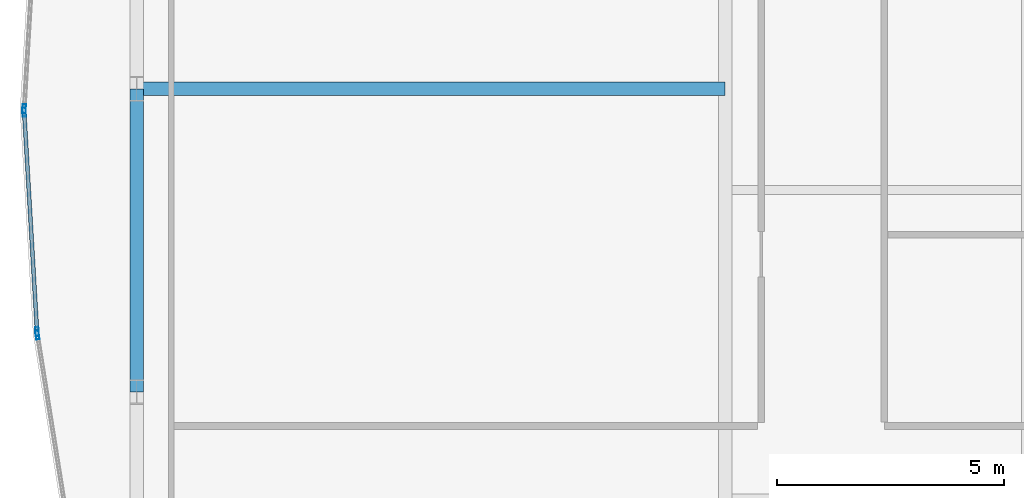
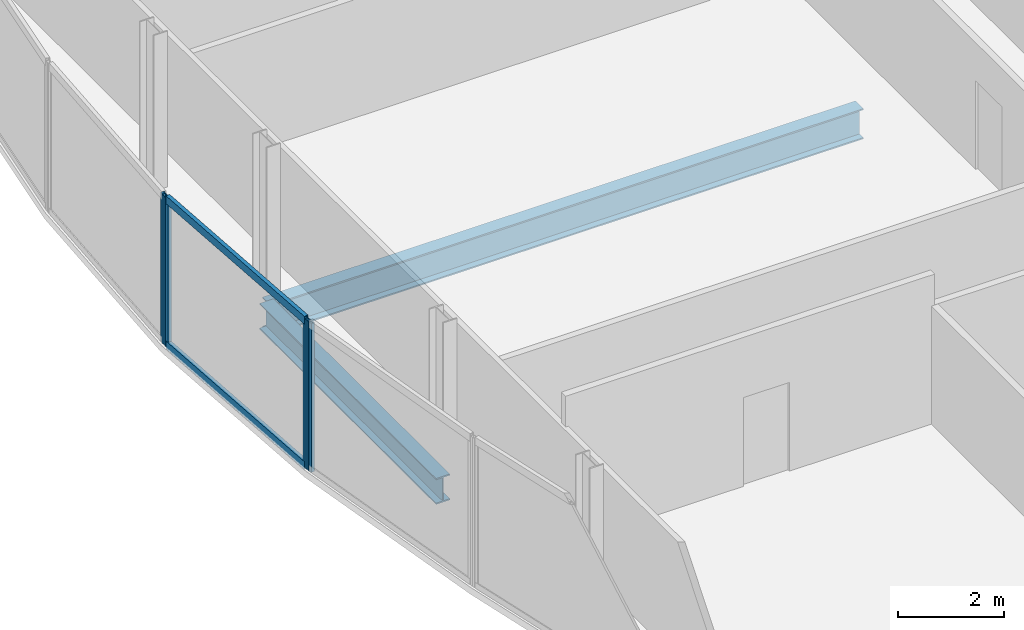
# One storey, part 10 of 29: 6 members, 2 beams, 3 elements without a shape of their own.
"""IFC4 building model written with IfcOpenShell, lengths in metres."""

from ifc_helpers import new_model, si_unit, direction, frame, origin, origin_2d, place, context, subcontext, project, spatial, hollow_rectangle, i_section, extrude, material, material_profile, profile_set, type_object, element, aggregate, save


model = new_model("IFC4")

# Units and contexts
model_context = context("Model", 3, precision=1e-05, world=origin(), true_north=direction((0.0, 1.0)))
body_context = subcontext(model_context, "Body", "Model", "MODEL_VIEW")
ifc_project = project(units=[si_unit("LENGTHUNIT", "METRE"), si_unit("AREAUNIT", "SQUARE_METRE"), si_unit("VOLUMEUNIT", "CUBIC_METRE"), si_unit("PLANEANGLEUNIT", "RADIAN"), si_unit("MASSUNIT", "GRAM", prefix="KILO")], contexts=[model_context])

# Site, building, storey
site_placement = place(None, origin())
site = spatial("IfcSite", under=ifc_project, at=site_placement, CompositionType="ELEMENT")
building_placement = place(site_placement, origin())
building = spatial("IfcBuilding", under=site, at=building_placement, Name="Khoronbel Lancet Exchange", CompositionType="ELEMENT")
storey_placement = place(building_placement, frame((0.0, 0.0, 161.39990234375)))
storey = spatial("IfcBuildingStorey", under=building, at=storey_placement, Name="L40", CompositionType="ELEMENT", Elevation=161.39990234375)

# Beams
ifc_material_1 = material(Name="Steel S355", Category="steel")
ifc_material_profile_1 = material_profile(ifc_material_1, i_section(OverallWidth=0.300048828125, OverallDepth=0.699951171875, WebThickness=0.01708984375, FlangeThickness=0.031982421875, at=origin_2d()), Name="HEB 700")
ifc_profile_set_1 = profile_set([ifc_material_profile_1], Name="Steel S355")
beam_type_1 = type_object("IfcBeamType", Name="BM-BG3", PredefinedType="BEAM", material=ifc_profile_set_1)
beam_1_placement = place(storey_placement, frame((5.27001953125, 31.425048828125, -0.510009765625), z_axis=(1.0, 0.0, 0.0), x_axis=(0.0, 1.0, 0.0)))
element("IfcBeam", 1, at=beam_1_placement, inside=storey, type_object=beam_type_1, Name="Level L40 west lens tie girder LG2W", PredefinedType="BEAM", context=body_context, shape_type="SweptSolid", body=[
    extrude(i_section(OverallWidth=0.300048828125, OverallDepth=0.699951171875, WebThickness=0.01708984375, FlangeThickness=0.031982421875, at=origin_2d()), origin(), (0.0, 0.0, 1.0), 12.955078125),
])
ifc_material_profile_2 = material_profile(ifc_material_1, i_section(OverallWidth=0.300048828125, OverallDepth=0.60009765625, WebThickness=0.015380859375, FlangeThickness=0.030029296875, at=origin_2d()), Name="HEB 600")
ifc_profile_set_2 = profile_set([ifc_material_profile_2], Name="Steel S355")
beam_type_2 = type_object("IfcBeamType", Name="BM-BSP2", PredefinedType="SPANDREL", material=ifc_profile_set_2)
beam_2_placement = place(storey_placement, frame((5.27001953125, 31.425048828125, -0.4599609375), z_axis=(0.0, -1.0, 0.0), x_axis=(1.0, 0.0, 0.0)))
element("IfcBeam", 2, at=beam_2_placement, inside=storey, type_object=beam_type_2, Name="Level L40 perimeter spandrel beam SP19", PredefinedType="SPANDREL", context=body_context, shape_type="SweptSolid", body=[
    extrude(i_section(OverallWidth=0.300048828125, OverallDepth=0.60009765625, WebThickness=0.015380859375, FlangeThickness=0.030029296875, at=origin_2d()), origin(), (0.0, 0.0, 1.0), 6.675048828125),
])

# Curtain wall, member
ifc_material_2 = material(Name="Low-E Solar Control Insulating Glass", Category="glass")
curtain_wall_type = type_object("IfcCurtainWallType", Name="CW-4", PredefinedType="NOTDEFINED", material=ifc_material_2)
curtain_wall_1_placement = place(storey_placement, origin())
curtain_wall_1 = element("IfcCurtainWall", 3, at=curtain_wall_1_placement, inside=storey, type_object=curtain_wall_type, Name="Unitised curtain wall CW-L40-E05", PredefinedType="NOTDEFINED")
ifc_material_3 = material(Name="Bronze-Anodised Aluminium 6063-T6", Category="aluminium")
ifc_material_profile_3 = material_profile(ifc_material_3, hollow_rectangle(XDim=0.074951171875, YDim=0.199951171875, WallThickness=0.0048828125, at=origin_2d()), Name="ALU MULLION 75x200")
ifc_profile_set_3 = profile_set([ifc_material_profile_3], Name="Bronze-Anodised Aluminium 6063-T6")
member_type_1 = type_object("IfcMemberType", Name="MEM-CWM2", PredefinedType="MULLION", material=ifc_profile_set_3)
member_1_placement = place(storey_placement, frame((3.08349609375, 26.006103515625, 0.0), z_axis=(0.0, 0.0, 1.0), x_axis=(-0.987429710822, -0.158058742835, 0.0)))
member_1 = element("IfcMember", 4, at=member_1_placement, type_object=member_type_1, Name="CW4 mullion 2", PredefinedType="MULLION", context=body_context, shape_type="SweptSolid", body=[
    extrude(hollow_rectangle(XDim=0.074951171875, YDim=0.199951171875, WallThickness=0.0048828125, at=origin_2d()), origin(), (0.0, 0.0, 1.0), 3.440185546875),
])
aggregate(curtain_wall_1, [member_1])

# Curtain wall, members
curtain_wall_2_placement = place(storey_placement, origin())
curtain_wall_2 = element("IfcCurtainWall", 5, at=curtain_wall_2_placement, inside=storey, type_object=curtain_wall_type, Name="Unitised curtain wall CW-L40-E06", PredefinedType="NOTDEFINED")
member_2_placement = place(storey_placement, frame((3.075439453125, 26.08056640625, 0.0), z_axis=(0.0, 0.0, 1.0), x_axis=(-0.998289143908, -0.058470378441, 0.0)))
member_2 = element("IfcMember", 6, at=member_2_placement, type_object=member_type_1, Name="CW4 mullion 1", PredefinedType="MULLION", context=body_context, shape_type="SweptSolid", body=[
    extrude(hollow_rectangle(XDim=0.074951171875, YDim=0.199951171875, WallThickness=0.0048828125, at=origin_2d()), origin(), (0.0, 0.0, 1.0), 3.440185546875),
])
member_3_placement = place(storey_placement, frame((2.79248046875, 30.91259765625, 0.0), z_axis=(0.0, 0.0, 1.0), x_axis=(-0.998289143908, -0.058470378441, 0.0)))
member_3 = element("IfcMember", 7, at=member_3_placement, type_object=member_type_1, Name="CW4 mullion 2", PredefinedType="MULLION", context=body_context, shape_type="SweptSolid", body=[
    extrude(hollow_rectangle(XDim=0.074951171875, YDim=0.199951171875, WallThickness=0.0048828125, at=origin_2d()), origin(), (0.0, 0.0, 1.0), 3.440185546875),
])

# Curtain wall, member
curtain_wall_3_placement = place(storey_placement, origin())
curtain_wall_3 = element("IfcCurtainWall", 8, at=curtain_wall_3_placement, inside=storey, type_object=curtain_wall_type, Name="Unitised curtain wall CW-L40-E07", PredefinedType="NOTDEFINED")
member_4_placement = place(storey_placement, frame((2.79248046875, 30.987548828125, 0.0), z_axis=(0.0, 0.0, 1.0), x_axis=(-0.998289143908, 0.058470378441, 0.0)))
member_4 = element("IfcMember", 9, at=member_4_placement, type_object=member_type_1, Name="CW4 mullion 1", PredefinedType="MULLION", context=body_context, shape_type="SweptSolid", body=[
    extrude(hollow_rectangle(XDim=0.074951171875, YDim=0.199951171875, WallThickness=0.0048828125, at=origin_2d()), origin(), (0.0, 0.0, 1.0), 3.440185546875),
])
aggregate(curtain_wall_3, [member_4])

# Member
ifc_material_profile_4 = material_profile(ifc_material_3, hollow_rectangle(XDim=0.0849609375, YDim=0.179931640625, WallThickness=0.0048828125, at=origin_2d()), Name="ALU TRANSOM 85x180")
ifc_profile_set_4 = profile_set([ifc_material_profile_4], Name="Bronze-Anodised Aluminium 6063-T6")
member_type_2 = type_object("IfcMemberType", Name="MEM-CWT1", PredefinedType="USERDEFINED", material=ifc_profile_set_4)
member_5_placement = place(storey_placement, frame((3.0732421875, 26.117919921875, 0.04248046875), z_axis=(-0.058454734605, 0.998290060054, 0.0), x_axis=(-0.998290060054, -0.058454734605, 0.0)))
member_5 = element("IfcMember", 10, at=member_5_placement, type_object=member_type_2, Name="CW4 transom 1.1", ObjectType="TRANSOM", PredefinedType="USERDEFINED", context=body_context, shape_type="SweptSolid", body=[
    extrude(hollow_rectangle(XDim=0.0849609375, YDim=0.179931640625, WallThickness=0.0048828125, at=origin_2d()), origin(), (0.0, 0.0, 1.0), 4.765380859375),
])

member_6_placement = place(storey_placement, frame((3.0732421875, 26.117919921875, 3.397705078125), z_axis=(-0.058454734605, 0.998290060054, 0.0), x_axis=(-0.998290060054, -0.058454734605, 0.0)))
member_6 = element("IfcMember", 11, at=member_6_placement, type_object=member_type_2, Name="CW4 transom 1.2", ObjectType="TRANSOM", PredefinedType="USERDEFINED", context=body_context, shape_type="SweptSolid", body=[
    extrude(hollow_rectangle(XDim=0.0849609375, YDim=0.179931640625, WallThickness=0.0048828125, at=origin_2d()), origin(), (0.0, 0.0, 1.0), 4.765380859375),
])

aggregate(curtain_wall_2, [member_2, member_3, member_5, member_6])

save(model, "model.ifc")
